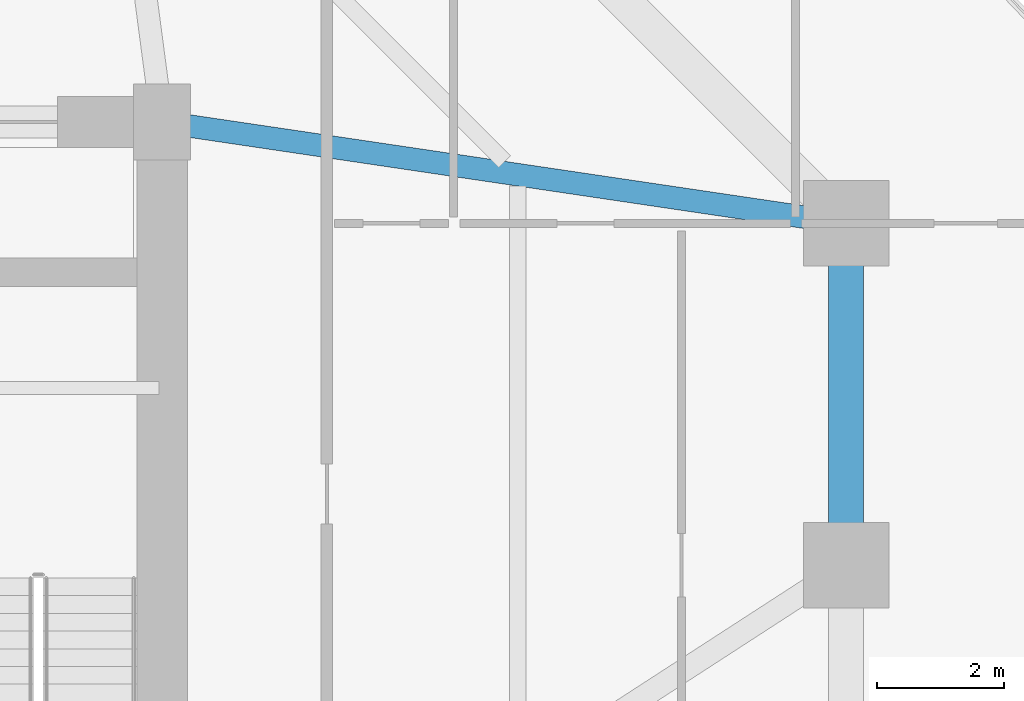
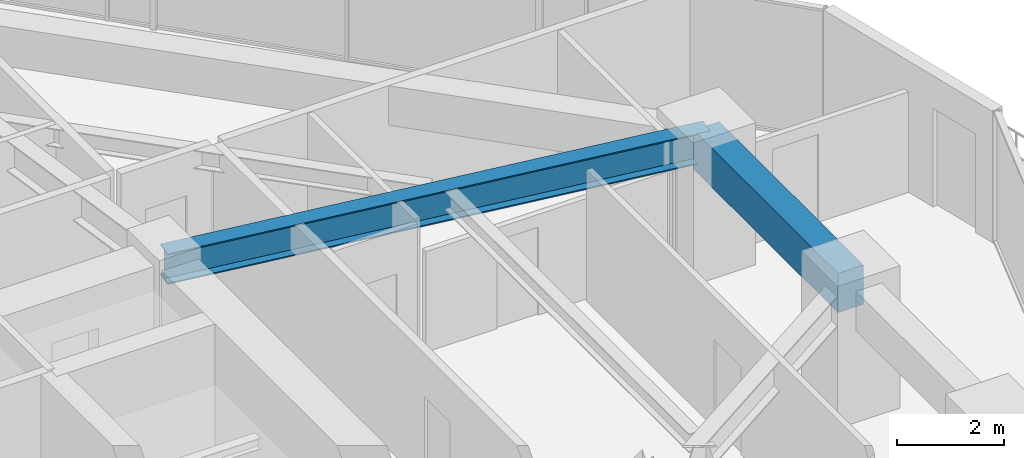
# One storey, part 18 of 37: 2 beams.
"""IFC4 building model written with IfcOpenShell, lengths in metres."""

from ifc_helpers import new_model, si_unit, direction, frame, origin, origin_2d, place, context, subcontext, project, spatial, rectangle, i_section, extrude, material, material_profile, profile_set, type_object, element, save


model = new_model("IFC4")

# Units and contexts
model_context = context("Model", 3, precision=1e-05, world=origin(), true_north=direction((0.0, 1.0)))
body_context = subcontext(model_context, "Body", "Model", "MODEL_VIEW")
ifc_project = project(units=[si_unit("LENGTHUNIT", "METRE"), si_unit("AREAUNIT", "SQUARE_METRE"), si_unit("VOLUMEUNIT", "CUBIC_METRE"), si_unit("PLANEANGLEUNIT", "RADIAN"), si_unit("MASSUNIT", "GRAM", prefix="KILO")], contexts=[model_context])

# Site, building, storey
site_placement = place(None, origin())
site = spatial("IfcSite", under=ifc_project, at=site_placement, CompositionType="ELEMENT")
building_placement = place(site_placement, origin())
building = spatial("IfcBuilding", under=site, at=building_placement, Name="Veraguas Prism Commons", CompositionType="ELEMENT")
storey_placement = place(building_placement, frame((0.0, 0.0, 70.60009765625)))
storey = spatial("IfcBuildingStorey", under=building, at=storey_placement, Name="L19", CompositionType="ELEMENT", Elevation=70.60009765625)

# Beams
ifc_material_1 = material(Name="Concrete C50/60", Category="concrete")
ifc_material_profile_1 = material_profile(ifc_material_1, rectangle(XDim=0.550048828125, YDim=0.89990234375, at=origin_2d()), Name="RC550X900")
ifc_profile_set_1 = profile_set([ifc_material_profile_1], Name="Concrete C50/60")
beam_type_1 = type_object("IfcBeamType", Name="Perimeter Spandrel Lower RC 550x900", PredefinedType="SPANDREL", material=ifc_profile_set_1)
beam_1_placement = place(storey_placement, frame((41.60009765625, 24.0, 2.5498046875), z_axis=(0.0, 1.0, 0.0), x_axis=(-1.0, 0.0, 0.0)))
element("IfcBeam", 1, at=beam_1_placement, inside=storey, type_object=beam_type_1, Name="Perimeter Spandrel Beam L19-SP02", PredefinedType="SPANDREL", context=body_context, shape_type="SweptSolid", body=[
    extrude(rectangle(XDim=0.550048828125, YDim=0.89990234375, at=origin_2d()), origin(), (0.0, 0.0, 1.0), 5.39990234375),
])
ifc_material_2 = material(Name="Steel ASTM A992 Grade 50", Category="steel")
ifc_material_profile_2 = material_profile(ifc_material_2, i_section(OverallWidth=0.35595703125, OverallDepth=0.700927734375, WebThickness=0.016845703125, FlangeThickness=0.02734375, at=origin_2d()), Name="W690X240")
ifc_profile_set_2 = profile_set([ifc_material_profile_2], Name="Steel ASTM A992 Grade 50")
beam_type_2 = type_object("IfcBeamType", Name="Zone 1 Radial Girder W690x240", PredefinedType="BEAM", material=ifc_profile_set_2)
beam_2_placement = place(storey_placement, frame((41.60009765625, 29.39990234375, 2.6494140625), z_axis=(-0.989202261707, 0.146556765224, 0.0), x_axis=(-0.146556765224, -0.989202261707, 0.0)))
element("IfcBeam", 2, at=beam_2_placement, inside=storey, type_object=beam_type_2, Name="Radial Floor Girder L19-RD03", PredefinedType="BEAM", context=body_context, shape_type="SweptSolid", body=[
    extrude(i_section(OverallWidth=0.35595703125, OverallDepth=0.700927734375, WebThickness=0.016845703125, FlangeThickness=0.02734375, at=origin_2d()), origin(), (0.0, 0.0, 1.0), 10.91796875),
])

save(model, "model.ifc")
